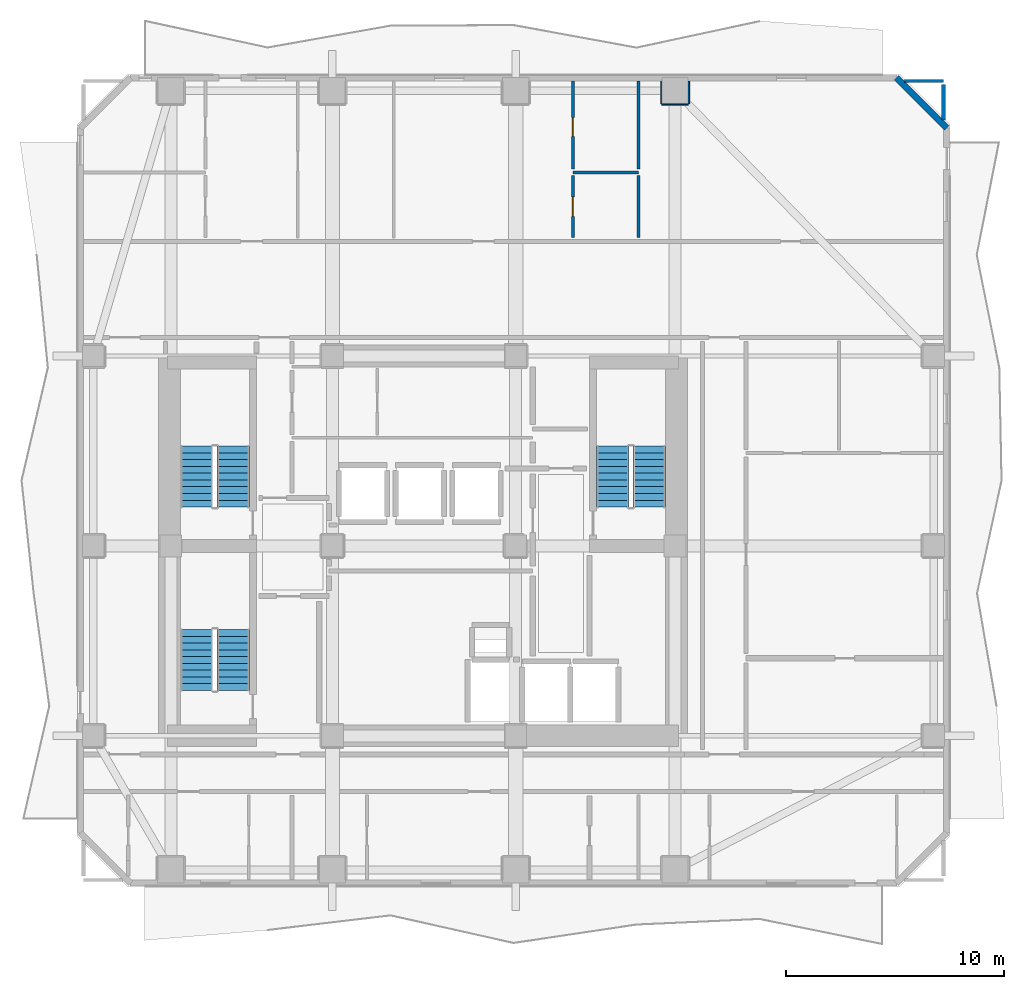
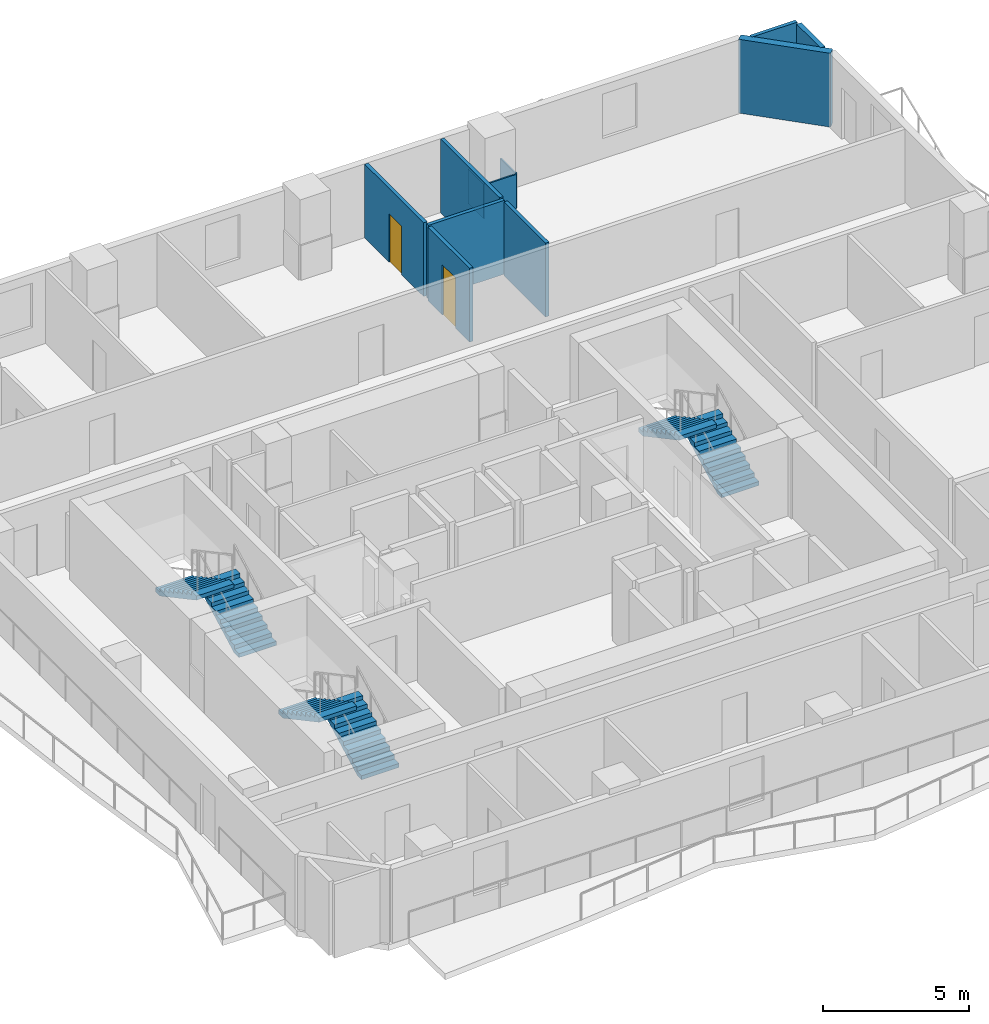
# One storey, part 6 of 9: 11 walls, 6 stair flights, 2 doors, 2 openings, 3 elements without a shape of their own.
"""IFC4 building model written with IfcOpenShell, lengths in metres."""

from ifc_helpers import new_model, si_unit, direction, frame, frame_2d, origin, place, context, subcontext, project, spatial, polyline, rectangle, outline, extrude, material, layer, layer_set, type_object, element, fill, aggregate, save


model = new_model("IFC4")

# Units and contexts
model_context = context("Model", 3, precision=1e-05, world=origin(), true_north=direction((0.0, 1.0)))
body_context = subcontext(model_context, "Body", "Model", "MODEL_VIEW")
ifc_project = project(units=[si_unit("LENGTHUNIT", "METRE"), si_unit("AREAUNIT", "SQUARE_METRE"), si_unit("VOLUMEUNIT", "CUBIC_METRE"), si_unit("PLANEANGLEUNIT", "RADIAN"), si_unit("MASSUNIT", "GRAM", prefix="KILO")], contexts=[model_context])

# Site, building, storey
site_placement = place(None, origin())
site = spatial("IfcSite", under=ifc_project, at=site_placement, CompositionType="ELEMENT")
building_placement = place(site_placement, origin())
building = spatial("IfcBuilding", under=site, at=building_placement, Name="Solanera Arch Residences", CompositionType="ELEMENT")
storey_placement = place(building_placement, frame((0.0, 0.0, 152.56005859375)))
storey = spatial("IfcBuildingStorey", under=building, at=storey_placement, Name="L44", CompositionType="ELEMENT", Elevation=152.56005859375)

# Walls
ifc_material_1 = material(Name="Fire-Rated Gypsum Stud Partition", Category="gypsum")
ifc_layer_1 = layer(ifc_material_1, 0.06005859375)
ifc_layer_set_1 = layer_set([ifc_layer_1], Name="Fire-Rated Gypsum Stud Partition")
wall_type_1 = type_object("IfcWallType", Name="Column Acoustic Furring Wall 60", PredefinedType="PARTITIONING", material=ifc_layer_set_1)
wall_1_placement = place(storey_placement, frame((35.89990234375, 50.91796875, 0.0), z_axis=(0.0, 0.0, 1.0), x_axis=(1.0, 0.0, 0.0)))
element("IfcWall", 1, at=wall_1_placement, inside=storey, type_object=wall_type_1, Name="L44 Column Furring 16S", PredefinedType="PARTITIONING", context=body_context, shape_type="SweptSolid", body=[
    extrude(rectangle(XDim=1.2001953125, YDim=0.06005859375, at=frame_2d((0.60009765625, 0.0))), origin(), (0.0, 0.0, 1.0), 1.449951171875),
])
for number, where, z_axis, x_axis, name in (
    (2, (35.867919921875, 50.949951171875, 0.0), (0.0, 0.0, 1.0), (0.0, 1.0, 0.0), "L44 Column Furring 16W"),
    (3, (37.132080078125, 50.949951171875, 0.0), (0.0, 0.0, 1.0), (0.0, 1.0, 0.0), "L44 Column Furring 16E"),
):
    element("IfcWall", number, at=place(storey_placement, frame(where, z_axis=z_axis, x_axis=x_axis)), inside=storey, type_object=wall_type_1, Name=name, PredefinedType="PARTITIONING", context=body_context, shape_type="SweptSolid", body=[
        extrude(rectangle(XDim=1.0400390625, YDim=0.06005859375, at=frame_2d((0.52001953125, 0.0))), origin(), (0.0, 0.0, 1.0), 1.449951171875),
    ])
ifc_material_2 = material(Name="Autoclaved Aerated Concrete Blockwork", Category="masonry")
ifc_layer_2 = layer(ifc_material_2, 0.179931640625)
ifc_layer_set_2 = layer_set([ifc_layer_2], Name="Autoclaved Aerated Concrete Blockwork")
wall_type_2 = type_object("IfcWallType", Name="Corridor Fire Partition 180", PredefinedType="PARTITIONING", material=ifc_layer_set_2)
wall_2_placement = place(storey_placement, frame((48.800048828125, 50.205078125, 0.0), z_axis=(0.0, 0.0, 1.0), x_axis=(0.0, 1.0, 0.0)))
element("IfcWall", 4, at=wall_2_placement, inside=storey, type_object=wall_type_2, Name="L44 Interior Partition V14 2", PredefinedType="PARTITIONING", context=body_context, shape_type="SweptSolid", body=[
    extrude(rectangle(XDim=1.626953125, YDim=0.179931640625, at=frame_2d((0.8134765625, 0.0))), origin(), (0.0, 0.0, 1.0), 3.079833984375),
])
ifc_material_3 = material(Name="Precast Concrete C35/45", Category="concrete")
ifc_layer_3 = layer(ifc_material_3, 0.280029296875)
ifc_layer_set_3 = layer_set([ifc_layer_3], Name="Precast Concrete C35/45")
wall_type_3 = type_object("IfcWallType", Name="Exterior Wall Precast Masonry-Frame 280", PredefinedType="STANDARD", material=ifc_layer_set_3)
wall_3_placement = place(storey_placement, frame((46.64501953125, 52.14501953125, 0.0), z_axis=(0.0, 0.0, 1.0), x_axis=(0.707106781187, -0.707106781187, 0.0)))
element("IfcWall", 5, at=wall_3_placement, inside=storey, type_object=wall_type_3, Name="L44 Tower Exterior Precast Masonry-Frame Wall CH3", PredefinedType="STANDARD", context=body_context, shape_type="SweptSolid", body=[
    extrude(rectangle(XDim=3.252685546875, YDim=0.280029296875, at=frame_2d((1.62646484375, 0.0))), origin(), (0.0, 0.0, 1.0), 3.079833984375),
])
ifc_material_4 = material(Name="Autoclaved Aerated Concrete Blockwork", Category="masonry")
ifc_layer_4 = layer(ifc_material_4, 0.139892578125)
ifc_layer_set_4 = layer_set([ifc_layer_4], Name="Autoclaved Aerated Concrete Blockwork")
wall_type_4 = type_object("IfcWallType", Name="Wet-Room Partition 140", PredefinedType="PARTITIONING", material=ifc_layer_set_4)
wall_4_placement = place(storey_placement, frame((31.820068359375, 47.81005859375, 0.0), z_axis=(0.0, 0.0, 1.0), x_axis=(1.0, 0.0, 0.0)))
element("IfcWall", 6, at=wall_4_placement, inside=storey, type_object=wall_type_4, Name="L44 Interior Partition H16", PredefinedType="PARTITIONING", context=body_context, shape_type="SweptSolid", body=[
    extrude(rectangle(XDim=3.0, YDim=0.139892578125, at=frame_2d((1.5, 0.0))), origin(), (0.0, 0.0, 1.0), 3.079833984375),
])
wall_5_placement = place(storey_placement, frame((47.0048828125, 52.0, 0.0), z_axis=(0.0, 0.0, 1.0), x_axis=(1.0, 0.0, 0.0)))
element("IfcWall", 7, at=wall_5_placement, inside=storey, type_object=wall_type_4, Name="L44 Interior Partition H17 2", PredefinedType="PARTITIONING", context=body_context, shape_type="SweptSolid", body=[
    extrude(rectangle(XDim=1.795166015625, YDim=0.139892578125, at=frame_2d((0.8974609375, 0.0))), origin(), (0.0, 0.0, 1.0), 3.079833984375),
])

# Wall, opening, door
wall_6_placement = place(storey_placement, frame((31.820068359375, 44.818115234375, 0.0), z_axis=(0.0, 0.0, 1.0), x_axis=(0.0, 1.0, 0.0)))
wall_6 = element("IfcWall", 8, at=wall_6_placement, inside=storey, type_object=wall_type_4, Name="L44 Interior Partition V18 1", PredefinedType="PARTITIONING", context=body_context, shape_type="SweptSolid", body=[
    extrude(rectangle(XDim=2.843994140625, YDim=0.139892578125, at=frame_2d((1.421875, 0.0))), origin(), (0.0, 0.0, 1.0), 3.079833984375),
])
opening_1_placement = place(wall_6_placement, frame((0.97509765625, 0.0, 0.0)))
opening_1 = element("IfcOpeningElement", 9, at=opening_1_placement, cuts=wall_6, Name="Opening DI-02", PredefinedType="OPENING", context=body_context, shape_type="SweptSolid", body=[
    extrude(rectangle(XDim=0.89990234375, YDim=2.10009765625, at=frame_2d((0.449951171875, 1.050048828125))), frame((0.0, 0.079833984375, 0.0), z_axis=(0.0, -1.0, 0.0), x_axis=(1.0, 0.0, 0.0)), (0.0, 0.0, 1.0), 0.1599),
])
ifc_material_5 = material(Name="Fire-Rated Architectural Hardwood", Category="wood")
door_type_1 = type_object("IfcDoorType", Name="Suite Room Swing Door DI-02", OperationType="NOTDEFINED", PredefinedType="DOOR", material=ifc_material_5)
door_1_placement = place(opening_1_placement, origin())
door_1 = element("IfcDoor", 10, at=door_1_placement, inside=storey, type_object=door_type_1, Name="DR-L44-IN-030", OperationType="SINGLE_SWING_LEFT", OverallHeight=2.10009765625, OverallWidth=0.89990234375, PredefinedType="DOOR", context=body_context, shape_type="SweptSolid", body=[
    extrude(rectangle(XDim=0.89990234375, YDim=2.10009765625, at=frame_2d((0.449951171875, 1.050048828125))), frame((0.0, 0.02490234375, 0.0), z_axis=(0.0, -1.0, 0.0), x_axis=(1.0, 0.0, 0.0)), (0.0, 0.0, 1.0), 0.050048828125),
])
fill(opening_1, door_1)

wall_7_placement = place(storey_placement, frame((31.820068359375, 47.9580078125, 0.0), z_axis=(0.0, 0.0, 1.0), x_axis=(0.0, 1.0, 0.0)))
wall_7 = element("IfcWall", 11, at=wall_7_placement, inside=storey, type_object=wall_type_4, Name="L44 Interior Partition V18 2", PredefinedType="PARTITIONING", context=body_context, shape_type="SweptSolid", body=[
    extrude(rectangle(XDim=4.034912109375, YDim=0.139892578125, at=frame_2d((2.017578125, 0.0))), origin(), (0.0, 0.0, 1.0), 3.079833984375),
])
opening_2_placement = place(wall_7_placement, frame((1.50390625, 0.0, 0.0)))
opening_2 = element("IfcOpeningElement", 12, at=opening_2_placement, cuts=wall_7, Name="Opening DI-05", PredefinedType="OPENING", context=body_context, shape_type="SweptSolid", body=[
    extrude(rectangle(XDim=0.860107421875, YDim=2.02001953125, at=frame_2d((0.43017578125, 1.010009765625))), frame((0.0, 0.079833984375, 0.0), z_axis=(0.0, -1.0, 0.0), x_axis=(1.0, 0.0, 0.0)), (0.0, 0.0, 1.0), 0.1599),
])
ifc_material_6 = material(Name="Fire-Rated Architectural Hardwood", Category="wood")
door_type_2 = type_object("IfcDoorType", Name="Bathroom Swing Door DI-05", OperationType="NOTDEFINED", PredefinedType="DOOR", material=ifc_material_6)
door_2_placement = place(opening_2_placement, origin())
door_2 = element("IfcDoor", 13, at=door_2_placement, inside=storey, type_object=door_type_2, Name="DR-L44-IN-031", OperationType="SINGLE_SWING_RIGHT", OverallHeight=2.02001953125, OverallWidth=0.860107421875, PredefinedType="DOOR", context=body_context, shape_type="SweptSolid", body=[
    extrude(rectangle(XDim=0.860107421875, YDim=2.02001953125, at=frame_2d((0.43017578125, 1.010009765625))), frame((0.0, 0.02490234375, 0.0), z_axis=(0.0, -1.0, 0.0), x_axis=(1.0, 0.0, 0.0)), (0.0, 0.0, 1.0), 0.050048828125),
])
fill(opening_2, door_2)

# Walls
wall_8_placement = place(storey_placement, frame((34.820068359375, 44.818115234375, 0.0), z_axis=(0.0, 0.0, 1.0), x_axis=(0.0, 1.0, 0.0)))
element("IfcWall", 14, at=wall_8_placement, inside=storey, type_object=wall_type_4, Name="L44 Interior Partition V20 1", PredefinedType="PARTITIONING", context=body_context, shape_type="SweptSolid", body=[
    extrude(rectangle(XDim=2.843994140625, YDim=0.139892578125, at=frame_2d((1.421875, 0.0))), origin(), (0.0, 0.0, 1.0), 3.079833984375),
])
wall_9_placement = place(storey_placement, frame((34.820068359375, 47.9580078125, 0.0), z_axis=(0.0, 0.0, 1.0), x_axis=(0.0, 1.0, 0.0)))
element("IfcWall", 15, at=wall_9_placement, inside=storey, type_object=wall_type_4, Name="L44 Interior Partition V20 2", PredefinedType="PARTITIONING", context=body_context, shape_type="SweptSolid", body=[
    extrude(rectangle(XDim=4.034912109375, YDim=0.139892578125, at=frame_2d((2.017578125, 0.0))), origin(), (0.0, 0.0, 1.0), 3.079833984375),
])

# Stair, stair flights
ifc_material_7 = material(Name="Concrete C40/50 (f'c = 45 MPa)", Category="concrete")
stair_type = type_object("IfcStairType", Name="Tower Dogleg Exit Stair 1480", PredefinedType="HALF_TURN_STAIR", material=ifc_material_7)
stair_1_placement = place(storey_placement, origin())
stair_1 = element("IfcStair", 16, at=stair_1_placement, inside=storey, type_object=stair_type, Name="L44 Tower Core Exit Stair 1", PredefinedType="HALF_TURN_STAIR")
ifc_material_8 = material(Name="Concrete C40/50 (f'c = 45 MPa)", Category="concrete")
stair_flight_type = type_object("IfcStairFlightType", Name="Tower Precast Stair Flight 1480", PredefinedType="STRAIGHT", material=ifc_material_8)
stair_flight_1_placement = place(storey_placement, frame((16.260009765625, 32.47998046875, 0.0), z_axis=(0.0, 0.0, 1.0), x_axis=(0.0, 1.0, 0.0)))
stair_flight_1 = element("IfcStairFlight", 17, at=stair_flight_1_placement, type_object=stair_flight_type, Name="ST-T1 flight 1", NumberOfRisers=10, NumberOfTreads=9, PredefinedType="STRAIGHT", RiserHeight=0.166, TreadLength=0.31, context=body_context, shape_type="SweptSolid", body=[
    extrude(outline(polyline([(0.0, 0.0), (0.0, 0.166015625), (0.31005859375, 0.166015625), (0.31005859375, 0.33203125), (0.6201171875, 0.33203125), (0.6201171875, 0.498046875), (0.929931640625, 0.498046875), (0.929931640625, 0.6640625), (1.239990234375, 0.6640625), (1.239990234375, 0.830078125), (1.550048828125, 0.830078125), (1.550048828125, 0.99609375), (1.860107421875, 0.99609375), (1.860107421875, 1.162109375), (2.169921875, 1.162109375), (2.169921875, 1.327880859375), (2.47998046875, 1.327880859375), (2.47998046875, 1.493896484375), (2.7900390625, 1.493896484375), (2.7900390625, 1.659912109375), (2.7900390625, 1.323974609375), (0.317626953125, 0.0), (0.0, 0.0)])), frame((0.0, 0.739990234375, 0.0), z_axis=(0.0, -1.0, 0.0), x_axis=(1.0, 0.0, 0.0)), (0.0, 0.0, 1.0), 1.47998046875),
])
stair_flight_2_placement = place(storey_placement, frame((14.580078125, 35.27001953125, 1.659912109375), z_axis=(0.0, 0.0, 1.0), x_axis=(0.0, -1.0, 0.0)))
stair_flight_2 = element("IfcStairFlight", 18, at=stair_flight_2_placement, type_object=stair_flight_type, Name="ST-T1 flight 2", NumberOfRisers=10, NumberOfTreads=9, PredefinedType="STRAIGHT", RiserHeight=0.166, TreadLength=0.31, context=body_context, shape_type="SweptSolid", body=[
    extrude(outline(polyline([(0.0, 0.0), (0.0, 0.166015625), (0.31005859375, 0.166015625), (0.31005859375, 0.33203125), (0.6201171875, 0.33203125), (0.6201171875, 0.498046875), (0.929931640625, 0.498046875), (0.929931640625, 0.6640625), (1.239990234375, 0.6640625), (1.239990234375, 0.830078125), (1.550048828125, 0.830078125), (1.550048828125, 0.99609375), (1.860107421875, 0.99609375), (1.860107421875, 1.162109375), (2.169921875, 1.162109375), (2.169921875, 1.327880859375), (2.47998046875, 1.327880859375), (2.47998046875, 1.493896484375), (2.7900390625, 1.493896484375), (2.7900390625, 1.659912109375), (2.7900390625, 1.323974609375), (0.317626953125, 0.0), (0.0, 0.0)])), frame((0.0, 0.739990234375, 0.0), z_axis=(0.0, -1.0, 0.0), x_axis=(1.0, 0.0, 0.0)), (0.0, 0.0, 1.0), 1.47998046875),
])
aggregate(stair_1, [stair_flight_1, stair_flight_2])

stair_2_placement = place(storey_placement, origin())
stair_2 = element("IfcStair", 19, at=stair_2_placement, inside=storey, type_object=stair_type, Name="L44 Tower Core Exit Stair 2", PredefinedType="HALF_TURN_STAIR")
stair_flight_3_placement = place(storey_placement, frame((35.320068359375, 32.47998046875, 0.0), z_axis=(0.0, 0.0, 1.0), x_axis=(0.0, 1.0, 0.0)))
stair_flight_3 = element("IfcStairFlight", 20, at=stair_flight_3_placement, type_object=stair_flight_type, Name="ST-T2 flight 1", NumberOfRisers=10, NumberOfTreads=9, PredefinedType="STRAIGHT", RiserHeight=0.166, TreadLength=0.31, context=body_context, shape_type="SweptSolid", body=[
    extrude(outline(polyline([(0.0, 0.0), (0.0, 0.166015625), (0.31005859375, 0.166015625), (0.31005859375, 0.33203125), (0.6201171875, 0.33203125), (0.6201171875, 0.498046875), (0.929931640625, 0.498046875), (0.929931640625, 0.6640625), (1.239990234375, 0.6640625), (1.239990234375, 0.830078125), (1.550048828125, 0.830078125), (1.550048828125, 0.99609375), (1.860107421875, 0.99609375), (1.860107421875, 1.162109375), (2.169921875, 1.162109375), (2.169921875, 1.327880859375), (2.47998046875, 1.327880859375), (2.47998046875, 1.493896484375), (2.7900390625, 1.493896484375), (2.7900390625, 1.659912109375), (2.7900390625, 1.323974609375), (0.317626953125, 0.0), (0.0, 0.0)])), frame((0.0, 0.739990234375, 0.0), z_axis=(0.0, -1.0, 0.0), x_axis=(1.0, 0.0, 0.0)), (0.0, 0.0, 1.0), 1.47998046875),
])
stair_flight_4_placement = place(storey_placement, frame((33.639892578125, 35.27001953125, 1.659912109375), z_axis=(0.0, 0.0, 1.0), x_axis=(0.0, -1.0, 0.0)))
stair_flight_4 = element("IfcStairFlight", 21, at=stair_flight_4_placement, type_object=stair_flight_type, Name="ST-T2 flight 2", NumberOfRisers=10, NumberOfTreads=9, PredefinedType="STRAIGHT", RiserHeight=0.166, TreadLength=0.31, context=body_context, shape_type="SweptSolid", body=[
    extrude(outline(polyline([(0.0, 0.0), (0.0, 0.166015625), (0.31005859375, 0.166015625), (0.31005859375, 0.33203125), (0.6201171875, 0.33203125), (0.6201171875, 0.498046875), (0.929931640625, 0.498046875), (0.929931640625, 0.6640625), (1.239990234375, 0.6640625), (1.239990234375, 0.830078125), (1.550048828125, 0.830078125), (1.550048828125, 0.99609375), (1.860107421875, 0.99609375), (1.860107421875, 1.162109375), (2.169921875, 1.162109375), (2.169921875, 1.327880859375), (2.47998046875, 1.327880859375), (2.47998046875, 1.493896484375), (2.7900390625, 1.493896484375), (2.7900390625, 1.659912109375), (2.7900390625, 1.323974609375), (0.317626953125, 0.0), (0.0, 0.0)])), frame((0.0, 0.739990234375, 0.0), z_axis=(0.0, -1.0, 0.0), x_axis=(1.0, 0.0, 0.0)), (0.0, 0.0, 1.0), 1.47998046875),
])
aggregate(stair_2, [stair_flight_3, stair_flight_4])

stair_3_placement = place(storey_placement, origin())
stair_3 = element("IfcStair", 22, at=stair_3_placement, inside=storey, type_object=stair_type, Name="L44 Tower Core Exit Stair 3", PredefinedType="HALF_TURN_STAIR")
stair_flight_5_placement = place(storey_placement, frame((16.260009765625, 24.080078125, 0.0), z_axis=(0.0, 0.0, 1.0), x_axis=(0.0, 1.0, 0.0)))
stair_flight_5 = element("IfcStairFlight", 23, at=stair_flight_5_placement, type_object=stair_flight_type, Name="ST-T3 flight 1", NumberOfRisers=10, NumberOfTreads=9, PredefinedType="STRAIGHT", RiserHeight=0.166, TreadLength=0.31, context=body_context, shape_type="SweptSolid", body=[
    extrude(outline(polyline([(0.0, 0.0), (0.0, 0.166015625), (0.31005859375, 0.166015625), (0.31005859375, 0.33203125), (0.6201171875, 0.33203125), (0.6201171875, 0.498046875), (0.929931640625, 0.498046875), (0.929931640625, 0.6640625), (1.239990234375, 0.6640625), (1.239990234375, 0.830078125), (1.550048828125, 0.830078125), (1.550048828125, 0.99609375), (1.860107421875, 0.99609375), (1.860107421875, 1.162109375), (2.169921875, 1.162109375), (2.169921875, 1.327880859375), (2.47998046875, 1.327880859375), (2.47998046875, 1.493896484375), (2.7900390625, 1.493896484375), (2.7900390625, 1.659912109375), (2.7900390625, 1.323974609375), (0.317626953125, 0.0), (0.0, 0.0)])), frame((0.0, 0.739990234375, 0.0), z_axis=(0.0, -1.0, 0.0), x_axis=(1.0, 0.0, 0.0)), (0.0, 0.0, 1.0), 1.47998046875),
])
stair_flight_6_placement = place(storey_placement, frame((14.580078125, 26.8701171875, 1.659912109375), z_axis=(0.0, 0.0, 1.0), x_axis=(0.0, -1.0, 0.0)))
stair_flight_6 = element("IfcStairFlight", 24, at=stair_flight_6_placement, type_object=stair_flight_type, Name="ST-T3 flight 2", NumberOfRisers=10, NumberOfTreads=9, PredefinedType="STRAIGHT", RiserHeight=0.166, TreadLength=0.31, context=body_context, shape_type="SweptSolid", body=[
    extrude(outline(polyline([(0.0, 0.0), (0.0, 0.166015625), (0.31005859375, 0.166015625), (0.31005859375, 0.33203125), (0.6201171875, 0.33203125), (0.6201171875, 0.498046875), (0.929931640625, 0.498046875), (0.929931640625, 0.6640625), (1.239990234375, 0.6640625), (1.239990234375, 0.830078125), (1.550048828125, 0.830078125), (1.550048828125, 0.99609375), (1.860107421875, 0.99609375), (1.860107421875, 1.162109375), (2.169921875, 1.162109375), (2.169921875, 1.327880859375), (2.47998046875, 1.327880859375), (2.47998046875, 1.493896484375), (2.7900390625, 1.493896484375), (2.7900390625, 1.659912109375), (2.7900390625, 1.323974609375), (0.317626953125, 0.0), (0.0, 0.0)])), frame((0.0, 0.739990234375, 0.0), z_axis=(0.0, -1.0, 0.0), x_axis=(1.0, 0.0, 0.0)), (0.0, 0.0, 1.0), 1.47998046875),
])
aggregate(stair_3, [stair_flight_5, stair_flight_6])

save(model, "model.ifc")
